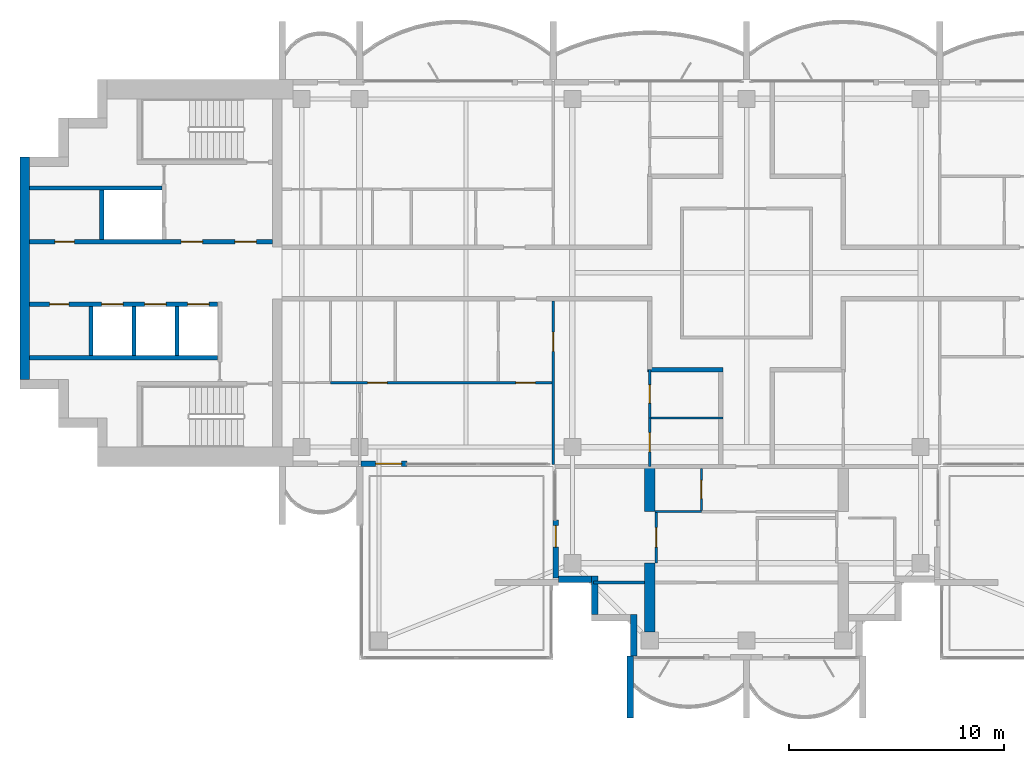
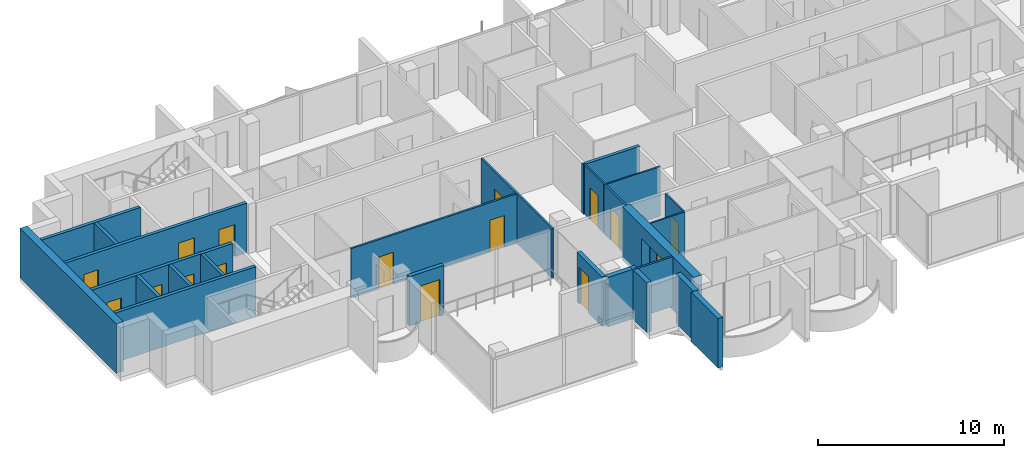
# One storey, part 7 of 16: 26 walls, 16 doors, 16 openings.
"""IFC4 building model written with IfcOpenShell, lengths in metres."""

from ifc_helpers import new_model, si_unit, direction, frame, frame_2d, origin, place, context, subcontext, project, spatial, polyline, rectangle, outline, extrude, material, layer, layer_set, material_profile, profile_set, type_object, element, fill, save


model = new_model("IFC4")

# Units and contexts
model_context = context("Model", 3, precision=1e-05, world=origin(), true_north=direction((0.0, 1.0)))
body_context = subcontext(model_context, "Body", "Model", "MODEL_VIEW")
ifc_project = project(units=[si_unit("LENGTHUNIT", "METRE"), si_unit("AREAUNIT", "SQUARE_METRE"), si_unit("VOLUMEUNIT", "CUBIC_METRE"), si_unit("PLANEANGLEUNIT", "RADIAN"), si_unit("MASSUNIT", "GRAM", prefix="KILO")], contexts=[model_context])

# Site, building, storey
site_placement = place(None, origin())
site = spatial("IfcSite", under=ifc_project, at=site_placement, CompositionType="ELEMENT")
building_placement = place(site_placement, origin())
building = spatial("IfcBuilding", under=site, at=building_placement, Name="Perihelion Cross Residences", CompositionType="ELEMENT")
storey_placement = place(building_placement, frame((0.0, 0.0, 246.5)))
storey = spatial("IfcBuildingStorey", under=building, at=storey_placement, Name="L62", CompositionType="ELEMENT", Elevation=246.5)

# Wall
ifc_material_1 = material(Name="Plasterboard partition")
ifc_layer_1 = layer(ifc_material_1, 0.199951171875)
ifc_layer_set_1 = layer_set([ifc_layer_1], Name="Apartment separation wall 200")
wall_type_1 = type_object("IfcWallType", Name="Apartment separation wall 200", PredefinedType="PARTITIONING", material=ifc_layer_set_1)
wall_1_placement = place(storey_placement, frame((-1.10009765625, -4.5, 0.0), z_axis=(0.0, 0.0, 1.0), x_axis=(-1.0, 0.0, 0.0)))
element("IfcWall", 1, at=wall_1_placement, inside=storey, type_object=wall_type_1, Name="Partition L62 W020", PredefinedType="PARTITIONING", context=body_context, shape_type="SweptSolid", body=[
    extrude(rectangle(XDim=3.5, YDim=0.199951171875, at=frame_2d((1.75, 0.0))), origin(), (0.0, 0.0, 1.0), 3.25),
])

# Wall, opening, door
ifc_material_2 = material(Name="Concrete C30/37, bronze-clad", Category="concrete")
ifc_layer_2 = layer(ifc_material_2, 0.25)
ifc_layer_set_2 = layer_set([ifc_layer_2], Name="Bronze-clad pier wall 250")
wall_type_2 = type_object("IfcWallType", Name="Bronze-clad pier wall 250", PredefinedType="SOLIDWALL", material=ifc_layer_set_2)
wall_2_placement = place(storey_placement, frame((-17.93994140625, -8.875, 0.0), z_axis=(0.0, 0.0, 1.0), x_axis=(1.0, 0.0, 0.0)))
wall_2 = element("IfcWall", 2, at=wall_2_placement, inside=storey, type_object=wall_type_2, Name="Wall FW1 L62 west side south bay 2 pier", PredefinedType="SOLIDWALL", context=body_context, shape_type="SweptSolid", body=[
    extrude(rectangle(XDim=2.139892578125, YDim=0.25, at=frame_2d((1.06982421875, 0.0))), origin(), (0.0, 0.0, 1.0), 3.25),
])
opening_1_placement = place(wall_2_placement, frame((0.68994140625, 0.0, 0.0)))
opening_1 = element("IfcOpeningElement", 3, at=opening_1_placement, cuts=wall_2, Name="Opening L62.E08", PredefinedType="OPENING", context=body_context, shape_type="SweptSolid", body=[
    extrude(rectangle(XDim=1.199951171875, YDim=2.39990234375, at=frame_2d((0.60009765625, 1.199951171875))), frame((0.0, 0.135009765625, 0.0), z_axis=(0.0, -1.0, 0.0), x_axis=(1.0, 0.0, 0.0)), (0.0, 0.0, 1.0), 0.27001953125),
])
ifc_material_3 = material(Name="Bronze anodised aluminium, glazed", Category="aluminium")
door_type_1 = type_object("IfcDoorType", Name="Balcony door 1200 x 2400", OperationType="NOTDEFINED", PredefinedType="DOOR", material=ifc_material_3)
door_1_placement = place(opening_1_placement, origin())
door_1 = element("IfcDoor", 4, at=door_1_placement, inside=storey, type_object=door_type_1, Name="Door L62.E08 west side south bay 2", OperationType="SINGLE_SWING_RIGHT", OverallHeight=2.39990234375, OverallWidth=1.199951171875, PredefinedType="DOOR", context=body_context, shape_type="SweptSolid", body=[
    extrude(rectangle(XDim=1.199951171875, YDim=2.39990234375, at=frame_2d((0.60009765625, 1.199951171875))), frame((0.0, 0.02490234375, 0.0), z_axis=(0.0, -1.0, 0.0), x_axis=(1.0, 0.0, 0.0)), (0.0, 0.0, 1.0), 0.050048828125),
])
fill(opening_1, door_1)

wall_3_placement = place(storey_placement, frame((-8.875, -11.5, 0.0), z_axis=(0.0, 0.0, 1.0), x_axis=(0.0, -1.0, 0.0)))
wall_3 = element("IfcWall", 5, at=wall_3_placement, inside=storey, type_object=wall_type_2, Name="Wall FW1 L62 south side west bay 1 pier", PredefinedType="SOLIDWALL", context=body_context, shape_type="SweptSolid", body=[
    extrude(rectangle(XDim=2.699951171875, YDim=0.25, at=frame_2d((1.35009765625, 0.0))), origin(), (0.0, 0.0, 1.0), 3.25),
])
opening_2_placement = place(wall_3_placement, frame((0.25, 0.0, 0.0)))
opening_2 = element("IfcOpeningElement", 6, at=opening_2_placement, cuts=wall_3, Name="Opening L62.E09", PredefinedType="OPENING", context=body_context, shape_type="SweptSolid", body=[
    extrude(rectangle(XDim=1.0, YDim=2.39990234375, at=frame_2d((0.5, 1.199951171875))), frame((0.0, 0.135009765625, 0.0), z_axis=(0.0, -1.0, 0.0), x_axis=(1.0, 0.0, 0.0)), (0.0, 0.0, 1.0), 0.27001953125),
])
ifc_material_4 = material(Name="Bronze anodised aluminium, glazed", Category="aluminium")
door_type_2 = type_object("IfcDoorType", Name="Balcony door 1000 x 2400", OperationType="NOTDEFINED", PredefinedType="DOOR", material=ifc_material_4)
door_2_placement = place(opening_2_placement, origin())
door_2 = element("IfcDoor", 7, at=door_2_placement, inside=storey, type_object=door_type_2, Name="Door L62.E09 south side west bay 1", OperationType="SINGLE_SWING_LEFT", OverallHeight=2.39990234375, OverallWidth=1.0, PredefinedType="DOOR", context=body_context, shape_type="SweptSolid", body=[
    extrude(rectangle(XDim=1.0, YDim=2.39990234375, at=frame_2d((0.5, 1.199951171875))), frame((0.0, 0.02490234375, 0.0), z_axis=(0.0, -1.0, 0.0), x_axis=(1.0, 0.0, 0.0)), (0.0, 0.0, 1.0), 0.050048828125),
])
fill(opening_2, door_2)

# Walls
ifc_material_5 = material(Name="Concrete C30/37, bronze-clad", Category="concrete")
ifc_layer_3 = layer(ifc_material_5, 0.300048828125)
ifc_layer_set_3 = layer_set([ifc_layer_3], Name="Bronze-clad serration wall 300")
wall_type_3 = type_object("IfcWallType", Name="Bronze-clad serration wall 300", PredefinedType="SOLIDWALL", material=ifc_layer_set_3)
wall_4_placement = place(storey_placement, frame((-8.75, -14.25, 0.0), z_axis=(0.0, 0.0, 1.0), x_axis=(1.0, 0.0, 0.0)))
element("IfcWall", 8, at=wall_4_placement, inside=storey, type_object=wall_type_3, Name="Wall SR1 L62 south corner south-west 1", PredefinedType="SOLIDWALL", context=body_context, shape_type="SweptSolid", body=[
    extrude(rectangle(XDim=1.550048828125, YDim=0.300048828125, at=frame_2d((0.77490234375, 0.0))), origin(), (0.0, 0.0, 1.0), 3.25),
])
wall_5_placement = place(storey_placement, frame((-7.050048828125, -14.10009765625, 0.0), z_axis=(0.0, 0.0, 1.0), x_axis=(0.0, -1.0, 0.0)))
element("IfcWall", 9, at=wall_5_placement, inside=storey, type_object=wall_type_3, Name="Wall SR1 L62 south corner south-west 2", PredefinedType="SOLIDWALL", context=body_context, shape_type="SweptSolid", body=[
    extrude(rectangle(XDim=1.7998046875, YDim=0.300048828125, at=frame_2d((0.89990234375, 0.0))), origin(), (0.0, 0.0, 1.0), 3.25),
])
wall_6_placement = place(storey_placement, frame((-5.25, -15.89990234375, 0.0), z_axis=(0.0, 0.0, 1.0), x_axis=(0.0, -1.0, 0.0)))
element("IfcWall", 10, at=wall_6_placement, inside=storey, type_object=wall_type_3, Name="Wall SR1 L62 south corner south-west 4", PredefinedType="SOLIDWALL", context=body_context, shape_type="SweptSolid", body=[
    extrude(rectangle(XDim=1.920166015625, YDim=0.300048828125, at=frame_2d((0.9599609375, 0.0))), origin(), (0.0, 0.0, 1.0), 3.25),
])
ifc_material_6 = material(Name="Concrete C60/75", Category="concrete")
ifc_layer_4 = layer(ifc_material_6, 0.449951171875)
ifc_layer_set_4 = layer_set([ifc_layer_4], Name="Core wall, outer 450")
wall_type_4 = type_object("IfcWallType", Name="Core wall, outer 450", PredefinedType="SHEAR", material=ifc_layer_set_4)
wall_7_placement = place(storey_placement, frame((-33.574951171875, -4.949951171875, 0.0), z_axis=(0.0, 0.0, 1.0), x_axis=(0.0, 1.0, 0.0)))
element("IfcWall", 11, at=wall_7_placement, inside=storey, type_object=wall_type_4, Name="West core core wall, outer", PredefinedType="SHEAR", context=body_context, shape_type="SweptSolid", body=[
    extrude(rectangle(XDim=10.349853515625, YDim=0.449951171875, at=frame_2d((5.1748046875, 0.0))), origin(), (0.0, 0.0, 1.0), 3.25),
])

# Wall, opening, door
ifc_material_7 = material(Name="Plasterboard partition")
ifc_layer_5 = layer(ifc_material_7, 0.1201171875)
ifc_layer_set_5 = layer_set([ifc_layer_5], Name="Infill panel 120")
wall_type_5 = type_object("IfcWallType", Name="Infill panel 120", PredefinedType="PARTITIONING", material=ifc_layer_set_5)
wall_8_placement = place(storey_placement, frame((-4.18994140625, -11.10009765625, 0.0), z_axis=(0.0, 0.0, 1.0), x_axis=(0.0, -1.0, 0.0)))
wall_8 = element("IfcWall", 12, at=wall_8_placement, inside=storey, type_object=wall_type_5, Name="Partition L62 WI02", PredefinedType="PARTITIONING", context=body_context, shape_type="SweptSolid", body=[
    extrude(rectangle(XDim=2.39990234375, YDim=0.1201171875, at=frame_2d((1.199951171875, 0.0))), origin(), (0.0, 0.0, 1.0), 2.39990234375),
])
opening_3_placement = place(wall_8_placement, frame((0.75, 0.0, 0.0)))
opening_3 = element("IfcOpeningElement", 13, at=opening_3_placement, cuts=wall_8, Name="Opening L62.A43", PredefinedType="OPENING", context=body_context, shape_type="SweptSolid", body=[
    extrude(rectangle(XDim=0.89990234375, YDim=2.10009765625, at=frame_2d((0.449951171875, 1.050048828125))), frame((0.0, 0.070068359375, 0.0), z_axis=(0.0, -1.0, 0.0), x_axis=(1.0, 0.0, 0.0)), (0.0, 0.0, 1.0), 0.14013671875),
])
ifc_material_8 = material(Name="Timber door leaf", Category="wood")
door_type_3 = type_object("IfcDoorType", Name="Interior room door 900 x 2100", OperationType="SINGLE_SWING_LEFT", PredefinedType="DOOR", material=ifc_material_8)
door_3_placement = place(opening_3_placement, origin())
door_3 = element("IfcDoor", 14, at=door_3_placement, inside=storey, type_object=door_type_3, Name="Door L62.A43", OperationType="SINGLE_SWING_LEFT", OverallHeight=2.10009765625, OverallWidth=0.89990234375, PredefinedType="DOOR", context=body_context, shape_type="SweptSolid", body=[
    extrude(rectangle(XDim=0.89990234375, YDim=2.10009765625, at=frame_2d((0.449951171875, 1.050048828125))), frame((0.0, 0.02490234375, 0.0), z_axis=(0.0, -1.0, 0.0), x_axis=(1.0, 0.0, 0.0)), (0.0, 0.0, 1.0), 0.050048828125),
])
fill(opening_3, door_3)

# Wall, openings, doors
ifc_material_9 = material(Name="Plasterboard partition")
ifc_layer_6 = layer(ifc_material_9, 0.1201171875)
ifc_layer_set_6 = layer_set([ifc_layer_6], Name="Partition wall 120")
wall_type_6 = type_object("IfcWallType", Name="Partition wall 120", PredefinedType="PARTITIONING", material=ifc_layer_set_6)
wall_9_placement = place(storey_placement, frame((-8.93994140625, -5.10009765625, 0.0), z_axis=(0.0, 0.0, 1.0), x_axis=(-1.0, 0.0, 0.0)))
wall_9 = element("IfcWall", 15, at=wall_9_placement, inside=storey, type_object=wall_type_6, Name="Partition L62 W052", PredefinedType="PARTITIONING", context=body_context, shape_type="SweptSolid", body=[
    extrude(rectangle(XDim=10.41015625, YDim=0.1201171875, at=frame_2d((5.205078125, 0.0))), origin(), (0.0, 0.0, 1.0), 3.25),
])
opening_4_placement = place(wall_9_placement, frame((0.885009765625, 0.0, 0.0)))
opening_4 = element("IfcOpeningElement", 16, at=opening_4_placement, cuts=wall_9, Name="Opening L62.A30", PredefinedType="OPENING", context=body_context, shape_type="SweptSolid", body=[
    extrude(rectangle(XDim=0.89990234375, YDim=2.10009765625, at=frame_2d((0.449951171875, 1.050048828125))), frame((0.0, 0.070068359375, 0.0), z_axis=(0.0, -1.0, 0.0), x_axis=(1.0, 0.0, 0.0)), (0.0, 0.0, 1.0), 0.14013671875),
])
opening_5_placement = place(wall_9_placement, frame((7.784912109375, 0.0, 0.0)))
opening_5 = element("IfcOpeningElement", 17, at=opening_5_placement, cuts=wall_9, Name="Opening L62.A31", PredefinedType="OPENING", context=body_context, shape_type="SweptSolid", body=[
    extrude(rectangle(XDim=0.89990234375, YDim=2.10009765625, at=frame_2d((0.449951171875, 1.050048828125))), frame((0.0, 0.070068359375, 0.0), z_axis=(0.0, -1.0, 0.0), x_axis=(1.0, 0.0, 0.0)), (0.0, 0.0, 1.0), 0.14013671875),
])
door_4_placement = place(opening_4_placement, origin())
door_4 = element("IfcDoor", 18, at=door_4_placement, inside=storey, type_object=door_type_3, Name="Door L62.A30", OperationType="SINGLE_SWING_RIGHT", OverallHeight=2.10009765625, OverallWidth=0.89990234375, PredefinedType="DOOR", context=body_context, shape_type="SweptSolid", body=[
    extrude(rectangle(XDim=0.89990234375, YDim=2.10009765625, at=frame_2d((0.449951171875, 1.050048828125))), frame((0.0, 0.02490234375, 0.0), z_axis=(0.0, -1.0, 0.0), x_axis=(1.0, 0.0, 0.0)), (0.0, 0.0, 1.0), 0.050048828125),
])
fill(opening_4, door_4)
door_5_placement = place(opening_5_placement, origin())
door_5 = element("IfcDoor", 19, at=door_5_placement, inside=storey, type_object=door_type_3, Name="Door L62.A31", OperationType="SINGLE_SWING_LEFT", OverallHeight=2.10009765625, OverallWidth=0.89990234375, PredefinedType="DOOR", context=body_context, shape_type="SweptSolid", body=[
    extrude(rectangle(XDim=0.89990234375, YDim=2.10009765625, at=frame_2d((0.449951171875, 1.050048828125))), frame((0.0, 0.02490234375, 0.0), z_axis=(0.0, -1.0, 0.0), x_axis=(1.0, 0.0, 0.0)), (0.0, 0.0, 1.0), 0.050048828125),
])
fill(opening_5, door_5)

# Wall, opening, door
wall_10_placement = place(storey_placement, frame((-9.0, -1.300048828125, 0.0), z_axis=(0.0, 0.0, 1.0), x_axis=(0.0, -1.0, 0.0)))
wall_10 = element("IfcWall", 20, at=wall_10_placement, inside=storey, type_object=wall_type_6, Name="Partition L62 W053", PredefinedType="PARTITIONING", context=body_context, shape_type="SweptSolid", body=[
    extrude(rectangle(XDim=7.619873046875, YDim=0.1201171875, at=frame_2d((3.81005859375, 0.0))), origin(), (0.0, 0.0, 1.0), 3.25),
])
opening_6_placement = place(wall_10_placement, frame((1.449951171875, 0.0, 0.0)))
opening_6 = element("IfcOpeningElement", 21, at=opening_6_placement, cuts=wall_10, Name="Opening L62.A26", PredefinedType="OPENING", context=body_context, shape_type="SweptSolid", body=[
    extrude(rectangle(XDim=0.89990234375, YDim=2.10009765625, at=frame_2d((0.449951171875, 1.050048828125))), frame((0.0, 0.070068359375, 0.0), z_axis=(0.0, -1.0, 0.0), x_axis=(1.0, 0.0, 0.0)), (0.0, 0.0, 1.0), 0.14013671875),
])
door_6_placement = place(opening_6_placement, origin())
door_6 = element("IfcDoor", 22, at=door_6_placement, inside=storey, type_object=door_type_3, Name="Door L62.A26", OperationType="SINGLE_SWING_RIGHT", OverallHeight=2.10009765625, OverallWidth=0.89990234375, PredefinedType="DOOR", context=body_context, shape_type="SweptSolid", body=[
    extrude(rectangle(XDim=0.89990234375, YDim=2.10009765625, at=frame_2d((0.449951171875, 1.050048828125))), frame((0.0, 0.02490234375, 0.0), z_axis=(0.0, -1.0, 0.0), x_axis=(1.0, 0.0, 0.0)), (0.0, 0.0, 1.0), 0.050048828125),
])
fill(opening_6, door_6)

wall_11_placement = place(storey_placement, frame((-4.5, -6.75, 0.0), z_axis=(0.0, 0.0, 1.0), x_axis=(0.0, -1.0, 0.0)))
wall_11 = element("IfcWall", 23, at=wall_11_placement, inside=storey, type_object=wall_type_6, Name="Partition L62 W059", PredefinedType="PARTITIONING", context=body_context, shape_type="SweptSolid", body=[
    extrude(rectangle(XDim=2.25, YDim=0.1201171875, at=frame_2d((1.125, 0.0))), origin(), (0.0, 0.0, 1.0), 3.25),
])
opening_7_placement = place(wall_11_placement, frame((0.675048828125, 0.0, 0.0)))
opening_7 = element("IfcOpeningElement", 24, at=opening_7_placement, cuts=wall_11, Name="Opening L62.A28", PredefinedType="OPENING", context=body_context, shape_type="SweptSolid", body=[
    extrude(rectangle(XDim=0.89990234375, YDim=2.10009765625, at=frame_2d((0.449951171875, 1.050048828125))), frame((0.0, 0.070068359375, 0.0), z_axis=(0.0, -1.0, 0.0), x_axis=(1.0, 0.0, 0.0)), (0.0, 0.0, 1.0), 0.14013671875),
])
door_7_placement = place(opening_7_placement, origin())
door_7 = element("IfcDoor", 25, at=door_7_placement, inside=storey, type_object=door_type_3, Name="Door L62.A28", OperationType="SINGLE_SWING_RIGHT", OverallHeight=2.10009765625, OverallWidth=0.89990234375, PredefinedType="DOOR", context=body_context, shape_type="SweptSolid", body=[
    extrude(rectangle(XDim=0.89990234375, YDim=2.10009765625, at=frame_2d((0.449951171875, 1.050048828125))), frame((0.0, 0.02490234375, 0.0), z_axis=(0.0, -1.0, 0.0), x_axis=(1.0, 0.0, 0.0)), (0.0, 0.0, 1.0), 0.050048828125),
])
fill(opening_7, door_7)

# Walls
wall_12_placement = place(storey_placement, frame((-4.75, -14.39990234375, 0.0), z_axis=(0.0, 0.0, 1.0), x_axis=(-1.0, 0.0, 0.0)))
element("IfcWall", 26, at=wall_12_placement, inside=storey, type_object=wall_type_6, Name="Partition L62 W070", PredefinedType="PARTITIONING", context=body_context, shape_type="SweptSolid", body=[
    extrude(rectangle(XDim=2.3701171875, YDim=0.1201171875, at=frame_2d((1.18505859375, 0.0))), origin(), (0.0, 0.0, 1.0), 3.25),
])
ifc_material_10 = material(Name="Precast concrete C50/60", Category="concrete")
ifc_layer_7 = layer(ifc_material_10, 0.300048828125)
ifc_layer_set_7 = layer_set([ifc_layer_7], Name="Precast concrete C50/60 blade wall 300")
wall_type_7 = type_object("IfcWallType", Name="Precast concrete C50/60 blade wall 300", PredefinedType="SOLIDWALL", material=ifc_layer_set_7)
wall_13_placement = place(storey_placement, frame((-5.39990234375, -17.820068359375, 0.0), z_axis=(0.0, 0.0, 1.0), x_axis=(0.0, -1.0, 0.0)))
element("IfcWall", 27, at=wall_13_placement, inside=storey, type_object=wall_type_7, Name="Wall BL1 L62 no. 5", PredefinedType="SOLIDWALL", context=body_context, shape_type="SweptSolid", body=[
    extrude(rectangle(XDim=2.8798828125, YDim=0.300048828125, at=frame_2d((1.43994140625, 0.0))), origin(), (0.0, 0.0, 1.0), 3.25),
])

# Wall, openings, doors
ifc_material_11 = material(Name="Concrete C50/60", Category="concrete")
ifc_layer_8 = layer(ifc_material_11, 0.199951171875)
ifc_layer_set_8 = layer_set([ifc_layer_8], Name="Shaft wall 200")
wall_type_8 = type_object("IfcWallType", Name="Shaft wall 200", PredefinedType="SOLIDWALL", material=ifc_layer_set_8)
wall_14_placement = place(storey_placement, frame((-33.35009765625, 1.449951171875, 0.0), z_axis=(0.0, 0.0, 1.0), x_axis=(1.0, 0.0, 0.0)))
wall_14 = element("IfcWall", 28, at=wall_14_placement, inside=storey, type_object=wall_type_8, Name="West core shaft wall", PredefinedType="SOLIDWALL", context=body_context, shape_type="SweptSolid", body=[
    extrude(rectangle(XDim=11.300048828125, YDim=0.199951171875, at=frame_2d((5.64990234375, 0.0))), origin(), (0.0, 0.0, 1.0), 3.25),
])
opening_8_placement = place(wall_14_placement, frame((9.550048828125, 0.0, 0.0)))
opening_8 = element("IfcOpeningElement", 29, at=opening_8_placement, cuts=wall_14, Name="Opening L62.C19", PredefinedType="OPENING", context=body_context, shape_type="SweptSolid", body=[
    extrude(rectangle(XDim=1.0, YDim=2.10009765625, at=frame_2d((0.5, 1.050048828125))), frame((0.0, 0.10986328125, 0.0), z_axis=(0.0, -1.0, 0.0), x_axis=(1.0, 0.0, 0.0)), (0.0, 0.0, 1.0), 0.219970703125),
])
opening_9_placement = place(wall_14_placement, frame((7.050048828125, 0.0, 0.0)))
opening_9 = element("IfcOpeningElement", 30, at=opening_9_placement, cuts=wall_14, Name="Opening L62.C21", PredefinedType="OPENING", context=body_context, shape_type="SweptSolid", body=[
    extrude(rectangle(XDim=1.0, YDim=2.10009765625, at=frame_2d((0.5, 1.050048828125))), frame((0.0, 0.10986328125, 0.0), z_axis=(0.0, -1.0, 0.0), x_axis=(1.0, 0.0, 0.0)), (0.0, 0.0, 1.0), 0.219970703125),
])
opening_10_placement = place(wall_14_placement, frame((1.175048828125, 0.0, 0.0)))
opening_10 = element("IfcOpeningElement", 31, at=opening_10_placement, cuts=wall_14, Name="Opening L62.C23", PredefinedType="OPENING", context=body_context, shape_type="SweptSolid", body=[
    extrude(rectangle(XDim=0.89990234375, YDim=2.10009765625, at=frame_2d((0.449951171875, 1.050048828125))), frame((0.0, 0.10986328125, 0.0), z_axis=(0.0, -1.0, 0.0), x_axis=(1.0, 0.0, 0.0)), (0.0, 0.0, 1.0), 0.219970703125),
])
ifc_material_12 = material(Name="Steel, powder coated", Category="steel")
door_type_4 = type_object("IfcDoorType", Name="Lobby door 1000", OperationType="SINGLE_SWING_LEFT", PredefinedType="DOOR", material=ifc_material_12)
door_8_placement = place(opening_8_placement, origin())
door_8 = element("IfcDoor", 32, at=door_8_placement, inside=storey, type_object=door_type_4, Name="West core firefighting lobby door", OperationType="SINGLE_SWING_LEFT", OverallHeight=2.10009765625, OverallWidth=1.0, PredefinedType="DOOR", context=body_context, shape_type="SweptSolid", body=[
    extrude(rectangle(XDim=1.0, YDim=2.10009765625, at=frame_2d((0.5, 1.050048828125))), frame((0.0, 0.02490234375, 0.0), z_axis=(0.0, -1.0, 0.0), x_axis=(1.0, 0.0, 0.0)), (0.0, 0.0, 1.0), 0.050048828125),
])
fill(opening_8, door_8)
door_9_placement = place(opening_9_placement, origin())
door_9 = element("IfcDoor", 33, at=door_9_placement, inside=storey, type_object=door_type_4, Name="West core firefighting lobby door", OperationType="SINGLE_SWING_LEFT", OverallHeight=2.10009765625, OverallWidth=1.0, PredefinedType="DOOR", context=body_context, shape_type="SweptSolid", body=[
    extrude(rectangle(XDim=1.0, YDim=2.10009765625, at=frame_2d((0.5, 1.050048828125))), frame((0.0, 0.02490234375, 0.0), z_axis=(0.0, -1.0, 0.0), x_axis=(1.0, 0.0, 0.0)), (0.0, 0.0, 1.0), 0.050048828125),
])
fill(opening_9, door_9)
ifc_material_13 = material(Name="Steel, powder coated", Category="steel")
door_type_5 = type_object("IfcDoorType", Name="Service room door 900", OperationType="SINGLE_SWING_LEFT", PredefinedType="DOOR", material=ifc_material_13)
door_10_placement = place(opening_10_placement, origin())
door_10 = element("IfcDoor", 34, at=door_10_placement, inside=storey, type_object=door_type_5, Name="West core service room door", OperationType="SINGLE_SWING_LEFT", OverallHeight=2.10009765625, OverallWidth=0.89990234375, PredefinedType="DOOR", context=body_context, shape_type="SweptSolid", body=[
    extrude(rectangle(XDim=0.89990234375, YDim=2.10009765625, at=frame_2d((0.449951171875, 1.050048828125))), frame((0.0, 0.02490234375, 0.0), z_axis=(0.0, -1.0, 0.0), x_axis=(1.0, 0.0, 0.0)), (0.0, 0.0, 1.0), 0.050048828125),
])
fill(opening_10, door_10)

wall_15_placement = place(storey_placement, frame((-33.35009765625, -1.449951171875, 0.0), z_axis=(0.0, 0.0, 1.0), x_axis=(1.0, 0.0, 0.0)))
wall_15 = element("IfcWall", 35, at=wall_15_placement, inside=storey, type_object=wall_type_8, Name="West core shaft wall", PredefinedType="SOLIDWALL", context=body_context, shape_type="SweptSolid", body=[
    extrude(rectangle(XDim=8.75, YDim=0.199951171875, at=frame_2d((4.375, 0.0))), origin(), (0.0, 0.0, 1.0), 3.25),
])
opening_11_placement = place(wall_15_placement, frame((7.35009765625, 0.0, 0.0)))
opening_11 = element("IfcOpeningElement", 36, at=opening_11_placement, cuts=wall_15, Name="Opening L62.C13", PredefinedType="OPENING", context=body_context, shape_type="SweptSolid", body=[
    extrude(rectangle(XDim=1.0, YDim=2.10009765625, at=frame_2d((0.5, 1.050048828125))), frame((0.0, 0.10986328125, 0.0), z_axis=(0.0, -1.0, 0.0), x_axis=(1.0, 0.0, 0.0)), (0.0, 0.0, 1.0), 0.219970703125),
])
opening_12_placement = place(wall_15_placement, frame((5.35009765625, 0.0, 0.0)))
opening_12 = element("IfcOpeningElement", 37, at=opening_12_placement, cuts=wall_15, Name="Opening L62.C15", PredefinedType="OPENING", context=body_context, shape_type="SweptSolid", body=[
    extrude(rectangle(XDim=1.0, YDim=2.10009765625, at=frame_2d((0.5, 1.050048828125))), frame((0.0, 0.10986328125, 0.0), z_axis=(0.0, -1.0, 0.0), x_axis=(1.0, 0.0, 0.0)), (0.0, 0.0, 1.0), 0.219970703125),
])
opening_13_placement = place(wall_15_placement, frame((3.35009765625, 0.0, 0.0)))
opening_13 = element("IfcOpeningElement", 38, at=opening_13_placement, cuts=wall_15, Name="Opening L62.C16", PredefinedType="OPENING", context=body_context, shape_type="SweptSolid", body=[
    extrude(rectangle(XDim=1.0, YDim=2.10009765625, at=frame_2d((0.5, 1.050048828125))), frame((0.0, 0.10986328125, 0.0), z_axis=(0.0, -1.0, 0.0), x_axis=(1.0, 0.0, 0.0)), (0.0, 0.0, 1.0), 0.219970703125),
])
opening_14_placement = place(wall_15_placement, frame((0.925048828125, 0.0, 0.0)))
opening_14 = element("IfcOpeningElement", 39, at=opening_14_placement, cuts=wall_15, Name="Opening L62.C24", PredefinedType="OPENING", context=body_context, shape_type="SweptSolid", body=[
    extrude(rectangle(XDim=0.89990234375, YDim=2.10009765625, at=frame_2d((0.449951171875, 1.050048828125))), frame((0.0, 0.10986328125, 0.0), z_axis=(0.0, -1.0, 0.0), x_axis=(1.0, 0.0, 0.0)), (0.0, 0.0, 1.0), 0.219970703125),
])
ifc_material_14 = material(Name="Stainless steel", Category="steel")
door_type_6 = type_object("IfcDoorType", Name="Landing door 1000", OperationType="DOUBLE_DOOR_SLIDING", PredefinedType="DOOR", material=ifc_material_14)
door_11_placement = place(opening_11_placement, origin())
door_11 = element("IfcDoor", 40, at=door_11_placement, inside=storey, type_object=door_type_6, Name="Landing door, West core high-rise lift 1", OperationType="DOUBLE_DOOR_SLIDING", OverallHeight=2.10009765625, OverallWidth=1.0, PredefinedType="DOOR", context=body_context, shape_type="SweptSolid", body=[
    extrude(rectangle(XDim=1.0, YDim=2.10009765625, at=frame_2d((0.5, 1.050048828125))), frame((0.0, 0.02490234375, 0.0), z_axis=(0.0, -1.0, 0.0), x_axis=(1.0, 0.0, 0.0)), (0.0, 0.0, 1.0), 0.050048828125),
])
fill(opening_11, door_11)
door_12_placement = place(opening_12_placement, origin())
door_12 = element("IfcDoor", 41, at=door_12_placement, inside=storey, type_object=door_type_6, Name="Landing door, West core high-rise lift 2", OperationType="DOUBLE_DOOR_SLIDING", OverallHeight=2.10009765625, OverallWidth=1.0, PredefinedType="DOOR", context=body_context, shape_type="SweptSolid", body=[
    extrude(rectangle(XDim=1.0, YDim=2.10009765625, at=frame_2d((0.5, 1.050048828125))), frame((0.0, 0.02490234375, 0.0), z_axis=(0.0, -1.0, 0.0), x_axis=(1.0, 0.0, 0.0)), (0.0, 0.0, 1.0), 0.050048828125),
])
fill(opening_12, door_12)
door_13_placement = place(opening_13_placement, origin())
door_13 = element("IfcDoor", 42, at=door_13_placement, inside=storey, type_object=door_type_6, Name="Landing door, West core high-rise lift 3", OperationType="DOUBLE_DOOR_SLIDING", OverallHeight=2.10009765625, OverallWidth=1.0, PredefinedType="DOOR", context=body_context, shape_type="SweptSolid", body=[
    extrude(rectangle(XDim=1.0, YDim=2.10009765625, at=frame_2d((0.5, 1.050048828125))), frame((0.0, 0.02490234375, 0.0), z_axis=(0.0, -1.0, 0.0), x_axis=(1.0, 0.0, 0.0)), (0.0, 0.0, 1.0), 0.050048828125),
])
fill(opening_13, door_13)
door_14_placement = place(opening_14_placement, origin())
door_14 = element("IfcDoor", 43, at=door_14_placement, inside=storey, type_object=door_type_5, Name="West core service room door", OperationType="SINGLE_SWING_LEFT", OverallHeight=2.10009765625, OverallWidth=0.89990234375, PredefinedType="DOOR", context=body_context, shape_type="SweptSolid", body=[
    extrude(rectangle(XDim=0.89990234375, YDim=2.10009765625, at=frame_2d((0.449951171875, 1.050048828125))), frame((0.0, 0.02490234375, 0.0), z_axis=(0.0, -1.0, 0.0), x_axis=(1.0, 0.0, 0.0)), (0.0, 0.0, 1.0), 0.050048828125),
])
fill(opening_14, door_14)

# Walls
wall_16_placement = place(storey_placement, frame((-33.35009765625, 3.949951171875, 0.0), z_axis=(0.0, 0.0, 1.0), x_axis=(1.0, 0.0, 0.0)))
element("IfcWall", 44, at=wall_16_placement, inside=storey, type_object=wall_type_8, Name="West core shaft wall", PredefinedType="SOLIDWALL", context=body_context, shape_type="SweptSolid", body=[
    extrude(rectangle(XDim=6.150146484375, YDim=0.199951171875, at=frame_2d((3.0751953125, 0.0))), origin(), (0.0, 0.0, 1.0), 3.25),
])
wall_17_placement = place(storey_placement, frame((-33.35009765625, -3.949951171875, 0.0), z_axis=(0.0, 0.0, 1.0), x_axis=(1.0, 0.0, 0.0)))
element("IfcWall", 45, at=wall_17_placement, inside=storey, type_object=wall_type_8, Name="West core shaft wall", PredefinedType="SOLIDWALL", context=body_context, shape_type="SweptSolid", body=[
    extrude(rectangle(XDim=8.75, YDim=0.199951171875, at=frame_2d((4.375, 0.0))), origin(), (0.0, 0.0, 1.0), 3.25),
])
for number, where, z_axis, x_axis, name in (
    (46, (-30.0, 1.550048828125, 0.0), (0.0, 0.0, 1.0), (0.0, 1.0, 0.0), "West core shaft wall"),
    (47, (-26.5, -3.85009765625, 0.0), (0.0, 0.0, 1.0), (0.0, 1.0, 0.0), "West core shaft wall"),
    (48, (-28.5, -3.85009765625, 0.0), (0.0, 0.0, 1.0), (0.0, 1.0, 0.0), "West core shaft wall"),
    (49, (-30.5, -3.85009765625, 0.0), (0.0, 0.0, 1.0), (0.0, 1.0, 0.0), "West core shaft wall"),
):
    element("IfcWall", number, at=place(storey_placement, frame(where, z_axis=z_axis, x_axis=x_axis)), inside=storey, type_object=wall_type_8, Name=name, PredefinedType="SOLIDWALL", context=body_context, shape_type="SweptSolid", body=[
        extrude(rectangle(XDim=2.300048828125, YDim=0.199951171875, at=frame_2d((1.14990234375, 0.0))), origin(), (0.0, 0.0, 1.0), 3.25),
    ])
ifc_material_15 = material(Name="Concrete C50/60", Category="concrete")
ifc_material_profile = material_profile(ifc_material_15, outline(polyline([(0.0, 0.0), (3.199951171875, 0.0), (3.199951171875, 2.64990234375), (5.60009765625, 2.64990234375), (5.60009765625, 0.0), (7.699951171875, 0.0), (7.699951171875, 3.5), (0.0, 3.5), (0.0, 0.0)])), Name="Tip spine wall")
ifc_profile_set = profile_set([ifc_material_profile], Name="Concrete C50/60")
wall_type_9 = type_object("IfcWallType", Name="Tip spine wall 500 with 1 door openings 7700 long 3500 high concrete C50/60", PredefinedType="SHEAR", material=ifc_profile_set)
wall_18_placement = place(storey_placement, frame((-4.75, -16.699951171875, -0.25), z_axis=(1.0, 0.0, 0.0), x_axis=(0.0, 1.0, 0.0)))
element("IfcWall", 50, at=wall_18_placement, inside=storey, type_object=wall_type_9, Name="Shear wall SW45 L62 south west", PredefinedType="SHEAR", context=body_context, shape_type="SweptSolid", body=[
    extrude(outline(polyline([(0.0, 0.0), (3.199951171875, 0.0), (3.199951171875, 2.64990234375), (5.60009765625, 2.64990234375), (5.60009765625, 0.0), (7.699951171875, 0.0), (7.699951171875, 3.5), (0.0, 3.5), (0.0, 0.0)])), origin(), (0.0, 0.0, 1.0), 0.5),
])

# Wall, opening, door
ifc_material_16 = material(Name="Plasterboard partition")
ifc_layer_9 = layer(ifc_material_16, 0.10009765625)
ifc_layer_set_9 = layer_set([ifc_layer_9], Name="Wet room wall 100")
wall_type_10 = type_object("IfcWallType", Name="Wet room wall 100", PredefinedType="PARTITIONING", material=ifc_layer_set_9)
wall_19_placement = place(storey_placement, frame((-4.5, -4.5, 0.0), z_axis=(0.0, 0.0, 1.0), x_axis=(0.0, -1.0, 0.0)))
wall_19 = element("IfcWall", 51, at=wall_19_placement, inside=storey, type_object=wall_type_10, Name="Partition L62 W058", PredefinedType="PARTITIONING", context=body_context, shape_type="SweptSolid", body=[
    extrude(rectangle(XDim=2.25, YDim=0.10009765625, at=frame_2d((1.125, 0.0))), origin(), (0.0, 0.0, 1.0), 3.25),
])
opening_15_placement = place(wall_19_placement, frame((0.699951171875, 0.0, 0.0)))
opening_15 = element("IfcOpeningElement", 52, at=opening_15_placement, cuts=wall_19, Name="Opening L62.A24", PredefinedType="OPENING", context=body_context, shape_type="SweptSolid", body=[
    extrude(rectangle(XDim=0.85009765625, YDim=2.10009765625, at=frame_2d((0.425048828125, 1.050048828125))), frame((0.0, 0.06005859375, 0.0), z_axis=(0.0, -1.0, 0.0), x_axis=(1.0, 0.0, 0.0)), (0.0, 0.0, 1.0), 0.1201171875),
])
ifc_material_17 = material(Name="Timber door leaf", Category="wood")
door_type_7 = type_object("IfcDoorType", Name="Interior bathroom door 850 x 2100", OperationType="SINGLE_SWING_LEFT", PredefinedType="DOOR", material=ifc_material_17)
door_15_placement = place(opening_15_placement, origin())
door_15 = element("IfcDoor", 53, at=door_15_placement, inside=storey, type_object=door_type_7, Name="Door L62.A24", OperationType="SINGLE_SWING_RIGHT", OverallHeight=2.10009765625, OverallWidth=0.85009765625, PredefinedType="DOOR", context=body_context, shape_type="SweptSolid", body=[
    extrude(rectangle(XDim=0.85009765625, YDim=2.10009765625, at=frame_2d((0.425048828125, 1.050048828125))), frame((0.0, 0.02490234375, 0.0), z_axis=(0.0, -1.0, 0.0), x_axis=(1.0, 0.0, 0.0)), (0.0, 0.0, 1.0), 0.050048828125),
])
fill(opening_15, door_15)

# Wall
wall_20_placement = place(storey_placement, frame((-1.10009765625, -6.75, 0.0), z_axis=(0.0, 0.0, 1.0), x_axis=(-1.0, 0.0, 0.0)))
element("IfcWall", 54, at=wall_20_placement, inside=storey, type_object=wall_type_10, Name="Partition L62 W060", PredefinedType="PARTITIONING", context=body_context, shape_type="SweptSolid", body=[
    extrude(rectangle(XDim=3.4599609375, YDim=0.10009765625, at=frame_2d((1.72998046875, 0.0))), origin(), (0.0, 0.0, 1.0), 3.25),
])

# Wall, opening, door
wall_21_placement = place(storey_placement, frame((-2.10009765625, -11.0400390625, 0.0), z_axis=(0.0, 0.0, 1.0), x_axis=(0.0, 1.0, 0.0)))
wall_21 = element("IfcWall", 55, at=wall_21_placement, inside=storey, type_object=wall_type_10, Name="Partition L62 W061", PredefinedType="PARTITIONING", context=body_context, shape_type="SweptSolid", body=[
    extrude(rectangle(XDim=1.93994140625, YDim=0.10009765625, at=frame_2d((0.969970703125, 0.0))), origin(), (0.0, 0.0, 1.0), 3.25),
])
opening_16_placement = place(wall_21_placement, frame((0.544921875, 0.0, 0.0)))
opening_16 = element("IfcOpeningElement", 56, at=opening_16_placement, cuts=wall_21, Name="Opening L62.A33", PredefinedType="OPENING", context=body_context, shape_type="SweptSolid", body=[
    extrude(rectangle(XDim=0.85009765625, YDim=2.10009765625, at=frame_2d((0.425048828125, 1.050048828125))), frame((0.0, 0.06005859375, 0.0), z_axis=(0.0, -1.0, 0.0), x_axis=(1.0, 0.0, 0.0)), (0.0, 0.0, 1.0), 0.1201171875),
])
door_16_placement = place(opening_16_placement, origin())
door_16 = element("IfcDoor", 57, at=door_16_placement, inside=storey, type_object=door_type_7, Name="Door L62.A33", OperationType="SINGLE_SWING_LEFT", OverallHeight=2.10009765625, OverallWidth=0.85009765625, PredefinedType="DOOR", context=body_context, shape_type="SweptSolid", body=[
    extrude(rectangle(XDim=0.85009765625, YDim=2.10009765625, at=frame_2d((0.425048828125, 1.050048828125))), frame((0.0, 0.02490234375, 0.0), z_axis=(0.0, -1.0, 0.0), x_axis=(1.0, 0.0, 0.0)), (0.0, 0.0, 1.0), 0.050048828125),
])
fill(opening_16, door_16)

# Wall
wall_22_placement = place(storey_placement, frame((-2.10009765625, -11.10009765625, 0.0), z_axis=(0.0, 0.0, 1.0), x_axis=(-1.0, 0.0, 0.0)))
element("IfcWall", 58, at=wall_22_placement, inside=storey, type_object=wall_type_10, Name="Partition L62 W063", PredefinedType="PARTITIONING", context=body_context, shape_type="SweptSolid", body=[
    extrude(rectangle(XDim=2.14990234375, YDim=0.10009765625, at=frame_2d((1.074951171875, 0.0))), origin(), (0.0, 0.0, 1.0), 3.25),
])

save(model, "model.ifc")
